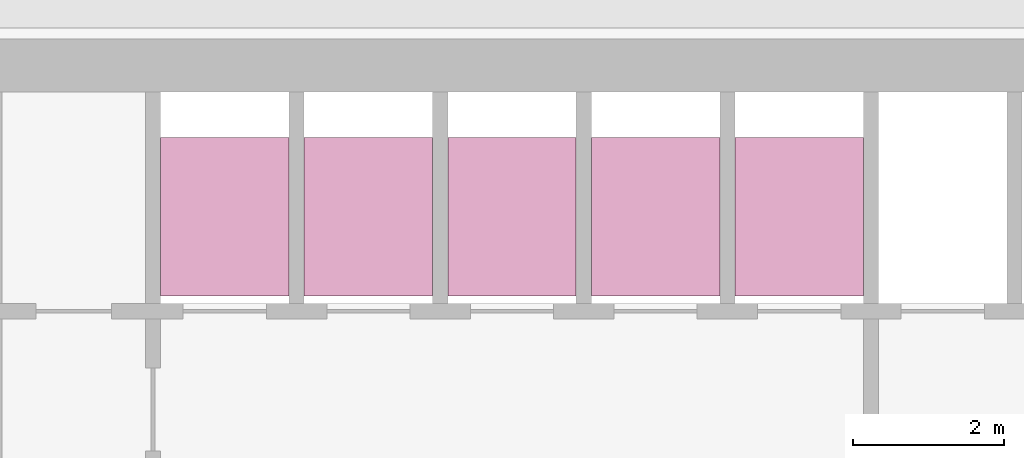
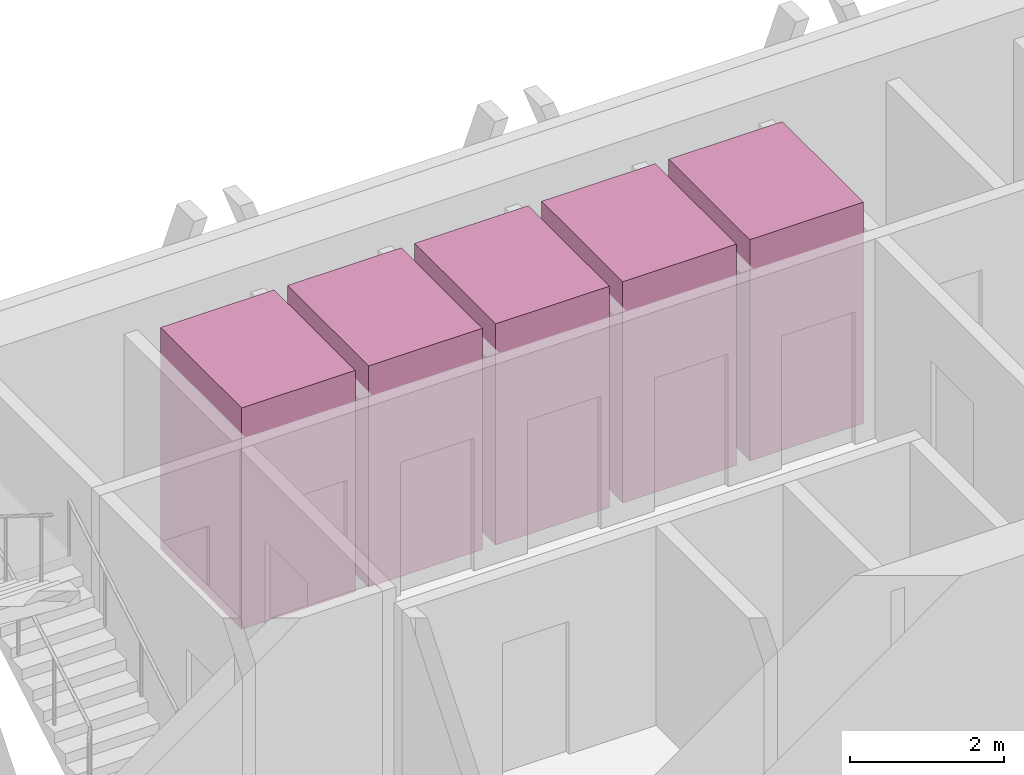
# One storey, part 16 of 16: 5 transport elements.
"""IFC4 building model written with IfcOpenShell, lengths in metres."""

from ifc_helpers import new_model, si_unit, direction, frame, origin, origin_2d, place, context, subcontext, project, spatial, rectangle, extrude, material, type_object, element, save


model = new_model("IFC4")

# Units and contexts
model_context = context("Model", 3, precision=1e-05, world=origin(), true_north=direction((0.0, 1.0)))
body_context = subcontext(model_context, "Body", "Model", "MODEL_VIEW")
ifc_project = project(units=[si_unit("LENGTHUNIT", "METRE"), si_unit("AREAUNIT", "SQUARE_METRE"), si_unit("VOLUMEUNIT", "CUBIC_METRE"), si_unit("PLANEANGLEUNIT", "RADIAN"), si_unit("MASSUNIT", "GRAM", prefix="KILO")], contexts=[model_context])

# Site, building, storey
site_placement = place(None, origin())
site = spatial("IfcSite", under=ifc_project, at=site_placement, CompositionType="ELEMENT")
building_placement = place(site_placement, origin())
building = spatial("IfcBuilding", under=site, at=building_placement, Name="Altiplano Prism Tower", CompositionType="ELEMENT")
storey_placement = place(building_placement, frame((0.0, 0.0, 198.0)))
storey = spatial("IfcBuildingStorey", under=building, at=storey_placement, Name="L51", CompositionType="ELEMENT", Elevation=198.0)

# Transport elements
ifc_material = material(Name="Stainless steel lift car", Category="steel")
transport_element_type = type_object("IfcTransportElementType", Name="Passenger lift car 1600 x 2100", PredefinedType="ELEVATOR", material=ifc_material)
for number, where, z_axis, x_axis, name in (
    (1, (79.050048828125, 101.75, 0.050048828125), (0.0, 0.0, 1.0), (1.0, 0.0, 0.0), "Mid Zone Passenger Lift 1"),
    (2, (80.949951171875, 101.75, 0.050048828125), (0.0, 0.0, 1.0), (1.0, 0.0, 0.0), "Mid Zone Passenger Lift 2"),
    (3, (82.85009765625, 101.75, 0.050048828125), (0.0, 0.0, 1.0), (1.0, 0.0, 0.0), "Mid Zone Passenger Lift 3"),
    (4, (84.75, 101.75, 0.050048828125), (0.0, 0.0, 1.0), (1.0, 0.0, 0.0), "Mid Zone Passenger Lift 4"),
    (5, (86.64990234375, 101.75, 0.050048828125), (0.0, 0.0, 1.0), (1.0, 0.0, 0.0), "Mid Zone Passenger Lift 5"),
):
    element("IfcTransportElement", number, at=place(storey_placement, frame(where, z_axis=z_axis, x_axis=x_axis)), inside=storey, type_object=transport_element_type, Name=name, PredefinedType="ELEVATOR", context=body_context, shape_type="SweptSolid", body=[
        extrude(rectangle(XDim=1.699951171875, YDim=2.10009765625, at=origin_2d()), origin(), (0.0, 0.0, 1.0), 3.5),
    ])

save(model, "model.ifc")
